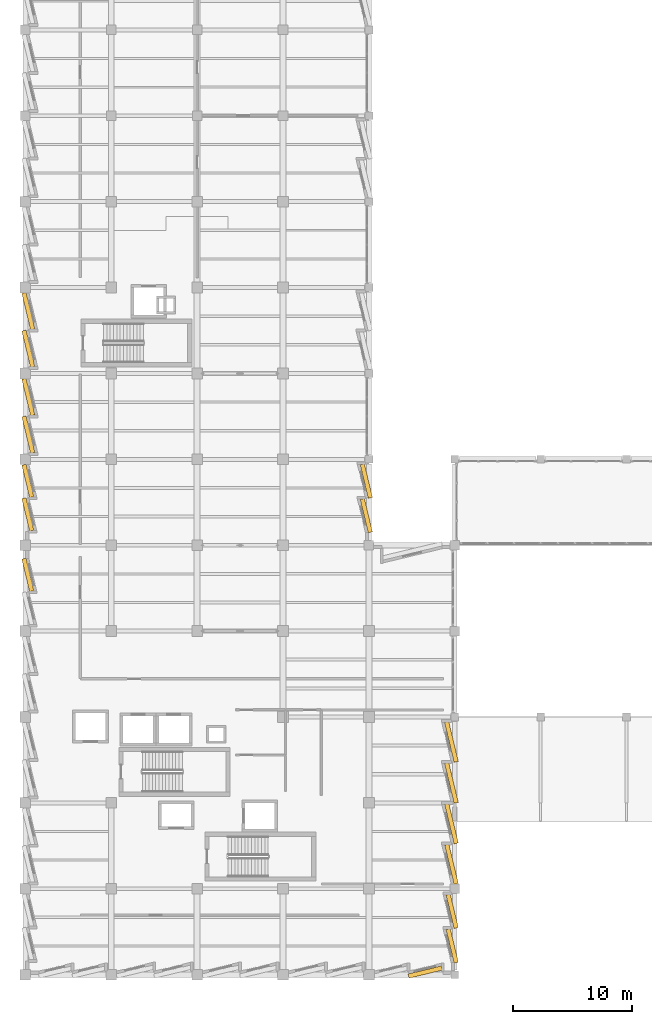
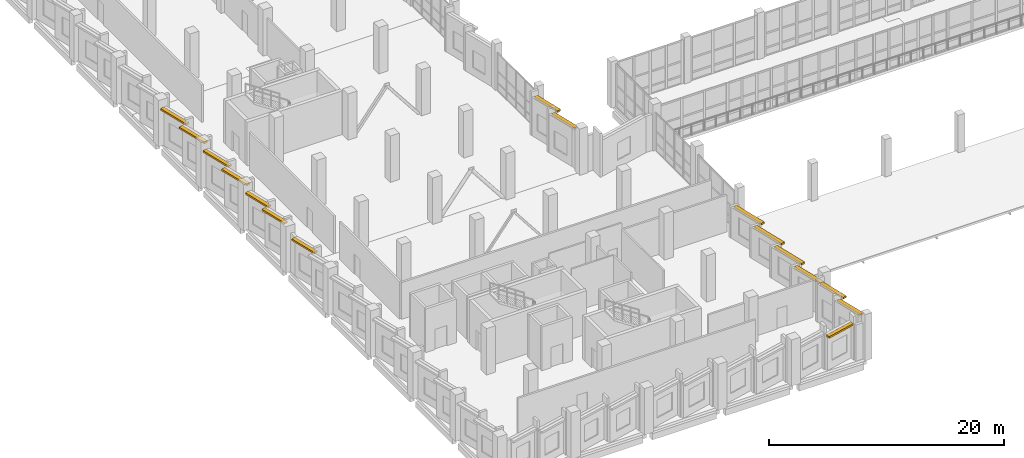
# One storey, part 110 of 127: 16 shading devices.
"""IFC4 building model written with IfcOpenShell, lengths in metres."""

from ifc_helpers import new_model, si_unit, direction, frame, origin, origin_2d, place, context, subcontext, project, spatial, rectangle, extrude, material, layer, layer_set, type_object, element, save


model = new_model("IFC4")

# Units and contexts
model_context = context("Model", 3, precision=1e-05, world=origin(), true_north=direction((0.0, 1.0)))
body_context = subcontext(model_context, "Body", "Model", "MODEL_VIEW")
ifc_project = project(units=[si_unit("LENGTHUNIT", "METRE"), si_unit("AREAUNIT", "SQUARE_METRE"), si_unit("VOLUMEUNIT", "CUBIC_METRE"), si_unit("PLANEANGLEUNIT", "RADIAN"), si_unit("MASSUNIT", "GRAM", prefix="KILO")], contexts=[model_context])

# Site, building, storey
site_placement = place(None, origin())
site = spatial("IfcSite", under=ifc_project, at=site_placement, CompositionType="ELEMENT")
building_placement = place(site_placement, origin())
building = spatial("IfcBuilding", under=site, at=building_placement, Name="Kalmorath City Hall", CompositionType="ELEMENT")
storey_placement = place(building_placement, frame((0.0, 0.0, 5.39990234375)))
storey = spatial("IfcBuildingStorey", under=building, at=storey_placement, Name="L01", CompositionType="ELEMENT", Elevation=5.39990234375)

# Shading devices
ifc_material = material(Name="Precast concrete C40/50", Category="concrete")
ifc_layer = layer(ifc_material, 0.179931640625)
ifc_layer_set = layer_set([ifc_layer], Name="Precast concrete C40/50")
shading_device_type = type_object("IfcShadingDeviceType", Name="Precast sawtooth brow sunshade 350", PredefinedType="USERDEFINED", material=ifc_layer_set)
for number, where, z_axis, x_axis, name in (
    (1, (0.2060546875, 33.5107421875, 3.76611328125), (0.0, 0.0, 1.0), (-0.233445363856, 0.972369920398, 0.0), "L01 precast sawtooth hood #95"),
    (2, (0.2060546875, 38.581787109375, 3.76611328125), (0.0, 0.0, 1.0), (-0.233445363856, 0.972369920398, 0.0), "L01 precast sawtooth hood #96"),
    (3, (0.2060546875, 41.390625, 3.76611328125), (0.0, 0.0, 1.0), (-0.233445363856, 0.972369920398, 0.0), "L01 precast sawtooth hood #97"),
):
    element("IfcShadingDevice", number, at=place(storey_placement, frame(where, z_axis=z_axis, x_axis=x_axis)), inside=storey, type_object=shading_device_type, Name=name, ObjectType="SUNSHADE", PredefinedType="USERDEFINED", context=body_context, shape_type="SweptSolid", body=[
        extrude(rectangle(XDim=2.793701171875, YDim=0.360107421875, at=origin_2d()), origin(), (0.0, 0.0, 1.0), 0.179931640625),
    ])
for number, where, z_axis, x_axis, name in (
    (4, (0.246826171875, 45.271728515625, 3.76611328125), (0.0, 0.0, 1.0), (-0.233445363856, 0.972369920398, 0.0), "L01 precast sawtooth hood #98"),
    (5, (0.246826171875, 48.420654296875, 3.76611328125), (0.0, 0.0, 1.0), (-0.233445363856, 0.972369920398, 0.0), "L01 precast sawtooth hood #99"),
    (6, (0.246826171875, 52.4716796875, 3.76611328125), (0.0, 0.0, 1.0), (-0.233445363856, 0.972369920398, 0.0), "L01 precast sawtooth hood #100"),
    (7, (0.246826171875, 55.62060546875, 3.76611328125), (0.0, 0.0, 1.0), (-0.233445363856, 0.972369920398, 0.0), "L01 precast sawtooth hood #101"),
):
    element("IfcShadingDevice", number, at=place(storey_placement, frame(where, z_axis=z_axis, x_axis=x_axis)), inside=storey, type_object=shading_device_type, Name=name, ObjectType="SUNSHADE", PredefinedType="USERDEFINED", context=body_context, shape_type="SweptSolid", body=[
        extrude(rectangle(XDim=3.1435546875, YDim=0.360107421875, at=origin_2d()), origin(), (0.0, 0.0, 1.0), 0.179931640625),
    ])
for number, where, z_axis, x_axis, name in (
    (8, (35.718505859375, 19.50927734375, 2.9912109375), (0.0, 0.0, 1.0), (0.233462334877, -0.972365845859, 0.0), "L01 precast sawtooth hood #147"),
    (9, (35.718505859375, 16.072265625, 2.9912109375), (0.0, 0.0, 1.0), (0.233462334877, -0.972365845859, 0.0), "L01 precast sawtooth hood #148"),
):
    element("IfcShadingDevice", number, at=place(storey_placement, frame(where, z_axis=z_axis, x_axis=x_axis)), inside=storey, type_object=shading_device_type, Name=name, ObjectType="SUNSHADE", PredefinedType="USERDEFINED", context=body_context, shape_type="SweptSolid", body=[
        extrude(rectangle(XDim=3.439697265625, YDim=0.360107421875, at=origin_2d()), origin(), (0.0, 0.0, 1.0), 0.179931640625),
    ])
for number, where, z_axis, x_axis, name in (
    (10, (35.722900390625, 12.654052734375, 2.9912109375), (0.0, 0.0, 1.0), (0.233428392764, -0.97237399464, 0.0), "L01 precast sawtooth hood #149"),
    (11, (35.722900390625, 9.254638671875, 2.9912109375), (0.0, 0.0, 1.0), (0.233428392764, -0.97237399464, 0.0), "L01 precast sawtooth hood #150"),
):
    element("IfcShadingDevice", number, at=place(storey_placement, frame(where, z_axis=z_axis, x_axis=x_axis)), inside=storey, type_object=shading_device_type, Name=name, ObjectType="SUNSHADE", PredefinedType="USERDEFINED", context=body_context, shape_type="SweptSolid", body=[
        extrude(rectangle(XDim=3.401123046875, YDim=0.360107421875, at=origin_2d()), origin(), (0.0, 0.0, 1.0), 0.179931640625),
    ])
for number, where, z_axis, x_axis, name in (
    (12, (35.783447265625, 5.3046875, 3.76611328125), (0.0, 0.0, 1.0), (0.233445363856, -0.972369920398, 0.0), "L01 precast sawtooth hood #151"),
    (13, (35.783447265625, 2.408203125, 3.76611328125), (0.0, 0.0, 1.0), (0.233445363856, -0.972369920398, 0.0), "L01 precast sawtooth hood #152"),
):
    element("IfcShadingDevice", number, at=place(storey_placement, frame(where, z_axis=z_axis, x_axis=x_axis)), inside=storey, type_object=shading_device_type, Name=name, ObjectType="SUNSHADE", PredefinedType="USERDEFINED", context=body_context, shape_type="SweptSolid", body=[
        extrude(rectangle(XDim=2.8837890625, YDim=0.360107421875, at=origin_2d()), origin(), (0.0, 0.0, 1.0), 0.179931640625),
    ])
shading_device_placement = place(storey_placement, frame((33.51220703125, 0.213623046875, 3.541015625), z_axis=(0.0, 0.0, 1.0), x_axis=(-0.972369920398, -0.233445363856, 0.0)))
element("IfcShadingDevice", 14, at=shading_device_placement, inside=storey, type_object=shading_device_type, Name="L01 precast sawtooth hood #153", ObjectType="SUNSHADE", PredefinedType="USERDEFINED", context=body_context, shape_type="SweptSolid", body=[
    extrude(rectangle(XDim=2.858154296875, YDim=0.360107421875, at=origin_2d()), origin(), (0.0, 0.0, 1.0), 0.179931640625),
])
for number, where, z_axis, x_axis, name in (
    (15, (28.58349609375, 41.379638671875, 3.76611328125), (0.0, 0.0, 1.0), (0.233445363856, -0.972369920398, 0.0), "L01 precast sawtooth hood #184"),
    (16, (28.58349609375, 38.483154296875, 3.76611328125), (0.0, 0.0, 1.0), (0.233445363856, -0.972369920398, 0.0), "L01 precast sawtooth hood #185"),
):
    element("IfcShadingDevice", number, at=place(storey_placement, frame(where, z_axis=z_axis, x_axis=x_axis)), inside=storey, type_object=shading_device_type, Name=name, ObjectType="SUNSHADE", PredefinedType="USERDEFINED", context=body_context, shape_type="SweptSolid", body=[
        extrude(rectangle(XDim=2.8837890625, YDim=0.360107421875, at=origin_2d()), origin(), (0.0, 0.0, 1.0), 0.179931640625),
    ])

save(model, "model.ifc")
